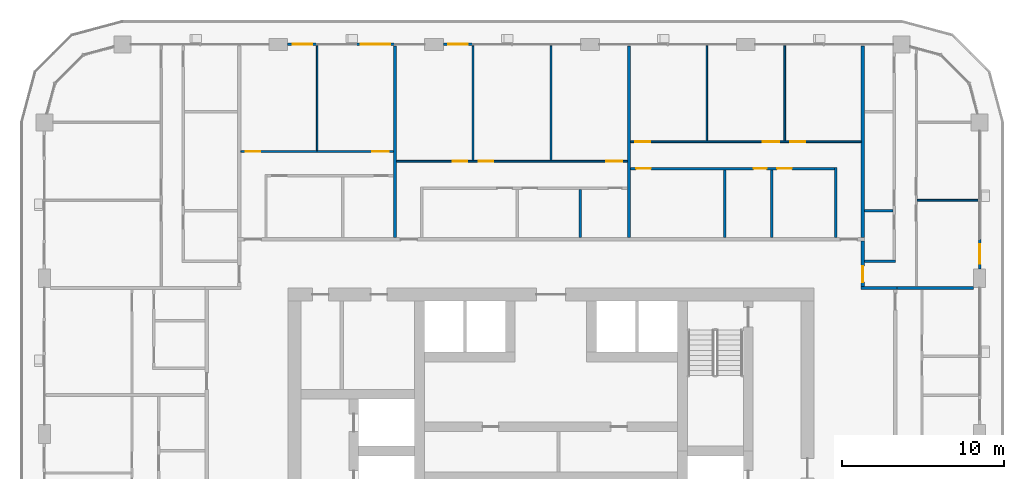
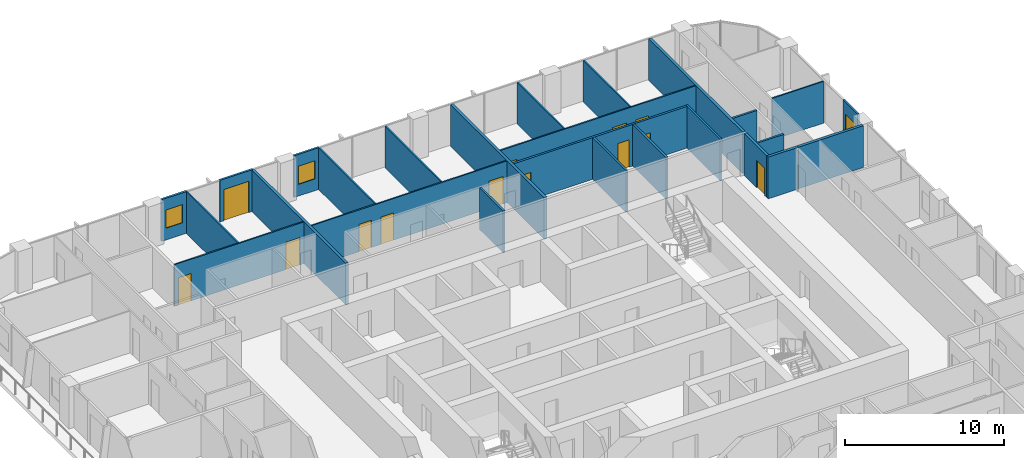
# One storey, part 14 of 22: 26 walls, 13 doors, 3 windows, 16 openings.
"""IFC4 building model written with IfcOpenShell, lengths in metres."""

from ifc_helpers import new_model, si_unit, direction, frame, frame_2d, origin, place, context, subcontext, project, spatial, rectangle, extrude, material, layer, layer_set, type_object, element, fill, save


model = new_model("IFC4")

# Units and contexts
model_context = context("Model", 3, precision=1e-05, world=origin(), true_north=direction((0.0, 1.0)))
body_context = subcontext(model_context, "Body", "Model", "MODEL_VIEW")
ifc_project = project(units=[si_unit("LENGTHUNIT", "METRE"), si_unit("AREAUNIT", "SQUARE_METRE"), si_unit("VOLUMEUNIT", "CUBIC_METRE"), si_unit("PLANEANGLEUNIT", "RADIAN"), si_unit("MASSUNIT", "GRAM", prefix="KILO")], contexts=[model_context])

# Site, building, storey
site_placement = place(None, origin())
site = spatial("IfcSite", under=ifc_project, at=site_placement, CompositionType="ELEMENT")
building_placement = place(site_placement, origin())
building = spatial("IfcBuilding", under=site, at=building_placement, Name="Madar Terraces", CompositionType="ELEMENT")
storey_placement = place(building_placement, frame((0.0, 0.0, 129.60009765625)))
storey = spatial("IfcBuildingStorey", under=building, at=storey_placement, Name="L33", CompositionType="ELEMENT", Elevation=129.60009765625)

# Wall, opening, window
ifc_material_1 = material(Name="Aluminium composite panel, black, over insulated backing", Category="aluminium")
ifc_layer_1 = layer(ifc_material_1, 0.14990234375)
ifc_layer_set_1 = layer_set([ifc_layer_1], Name="Facade bay panel 150")
wall_type_1 = type_object("IfcWallType", Name="Facade bay panel 150", PredefinedType="SOLIDWALL", material=ifc_layer_set_1)
wall_1_placement = place(storey_placement, frame((57.60009765625, 38.97509765625, 0.0), z_axis=(0.0, 0.0, 1.0), x_axis=(0.0, 1.0, 0.0)))
wall_1 = element("IfcWall", 1, at=wall_1_placement, inside=storey, type_object=wall_type_1, Name="Facade bay panel", PredefinedType="SOLIDWALL", context=body_context, shape_type="SweptSolid", body=[
    extrude(rectangle(XDim=1.824951171875, YDim=0.14990234375, at=frame_2d((0.91259765625, 0.0))), origin(), (0.0, 0.0, 1.0), 3.199951171875),
])
opening_1_placement = place(wall_1_placement, frame((0.3125, 0.0, 0.89990234375)))
opening_1 = element("IfcOpeningElement", 2, at=opening_1_placement, cuts=wall_1, Name="Opening W1", PredefinedType="OPENING", context=body_context, shape_type="SweptSolid", body=[
    extrude(rectangle(XDim=1.199951171875, YDim=1.39990234375, at=frame_2d((0.60009765625, 0.699951171875))), frame((0.0, 0.0849609375, 0.0), z_axis=(0.0, -1.0, 0.0), x_axis=(1.0, 0.0, 0.0)), (0.0, 0.0, 1.0), 0.169921875),
])
ifc_material_2 = material(Name="Glass, clear, with black aluminium frame", Category="aluminium")
window_type = type_object("IfcWindowType", Name="Vent window 1200 x 1400", PartitioningType="SINGLE_PANEL", PredefinedType="WINDOW", material=ifc_material_2)
window_1_placement = place(opening_1_placement, origin())
window_1 = element("IfcWindow", 3, at=window_1_placement, inside=storey, type_object=window_type, Name="Operable vent window", OverallHeight=1.39990234375, OverallWidth=1.199951171875, PartitioningType="SINGLE_PANEL", PredefinedType="WINDOW", context=body_context, shape_type="SweptSolid", body=[
    extrude(rectangle(XDim=1.199951171875, YDim=1.39990234375, at=frame_2d((0.60009765625, 0.699951171875))), frame((0.0, 0.030029296875, 0.0), z_axis=(0.0, -1.0, 0.0), x_axis=(1.0, 0.0, 0.0)), (0.0, 0.0, 1.0), 0.06005859375),
])
fill(opening_1, window_1)

wall_2_placement = place(storey_placement, frame((26.39990234375, 52.800048828125, 0.0), z_axis=(0.0, 0.0, 1.0), x_axis=(-1.0, 0.0, 0.0)))
wall_2 = element("IfcWall", 4, at=wall_2_placement, inside=storey, type_object=wall_type_1, Name="Facade bay panel", PredefinedType="SOLIDWALL", context=body_context, shape_type="SweptSolid", body=[
    extrude(rectangle(XDim=1.824951171875, YDim=0.14990234375, at=frame_2d((0.91259765625, 0.0))), origin(), (0.0, 0.0, 1.0), 3.199951171875),
])
opening_2_placement = place(wall_2_placement, frame((0.3125, 0.0, 0.89990234375)))
opening_2 = element("IfcOpeningElement", 5, at=opening_2_placement, cuts=wall_2, Name="Opening W1", PredefinedType="OPENING", context=body_context, shape_type="SweptSolid", body=[
    extrude(rectangle(XDim=1.199951171875, YDim=1.39990234375, at=frame_2d((0.60009765625, 0.699951171875))), frame((0.0, 0.0849609375, 0.0), z_axis=(0.0, -1.0, 0.0), x_axis=(1.0, 0.0, 0.0)), (0.0, 0.0, 1.0), 0.169921875),
])
window_2_placement = place(opening_2_placement, origin())
window_2 = element("IfcWindow", 6, at=window_2_placement, inside=storey, type_object=window_type, Name="Operable vent window", OverallHeight=1.39990234375, OverallWidth=1.199951171875, PartitioningType="SINGLE_PANEL", PredefinedType="WINDOW", context=body_context, shape_type="SweptSolid", body=[
    extrude(rectangle(XDim=1.199951171875, YDim=1.39990234375, at=frame_2d((0.60009765625, 0.699951171875))), frame((0.0, 0.030029296875, 0.0), z_axis=(0.0, -1.0, 0.0), x_axis=(1.0, 0.0, 0.0)), (0.0, 0.0, 1.0), 0.06005859375),
])
fill(opening_2, window_2)

# Wall, opening, door
wall_3_placement = place(storey_placement, frame((21.60009765625, 52.800048828125, 0.0), z_axis=(0.0, 0.0, 1.0), x_axis=(-1.0, 0.0, 0.0)))
wall_3 = element("IfcWall", 7, at=wall_3_placement, inside=storey, type_object=wall_type_1, Name="Facade bay panel", PredefinedType="SOLIDWALL", context=body_context, shape_type="SweptSolid", body=[
    extrude(rectangle(XDim=2.400146484375, YDim=0.14990234375, at=frame_2d((1.2001953125, 0.0))), origin(), (0.0, 0.0, 1.0), 3.199951171875),
])
opening_3_placement = place(wall_3_placement, frame((0.300048828125, 0.0, 0.0)))
opening_3 = element("IfcOpeningElement", 8, at=opening_3_placement, cuts=wall_3, Name="Opening ED1", PredefinedType="OPENING", context=body_context, shape_type="SweptSolid", body=[
    extrude(rectangle(XDim=1.800048828125, YDim=2.39990234375, at=frame_2d((0.89990234375, 1.199951171875))), frame((0.0, 0.0849609375, 0.0), z_axis=(0.0, -1.0, 0.0), x_axis=(1.0, 0.0, 0.0)), (0.0, 0.0, 1.0), 0.169921875),
])
ifc_material_3 = material(Name="Glass, clear, with black aluminium frame", Category="aluminium")
door_type_1 = type_object("IfcDoorType", Name="Balcony and terrace sliding door 1800 x 2400", OperationType="SLIDING_TO_LEFT", PredefinedType="DOOR", material=ifc_material_3)
door_1_placement = place(opening_3_placement, origin())
door_1 = element("IfcDoor", 9, at=door_1_placement, inside=storey, type_object=door_type_1, Name="Balcony door", OperationType="SLIDING_TO_RIGHT", OverallHeight=2.39990234375, OverallWidth=1.800048828125, PredefinedType="DOOR", context=body_context, shape_type="SweptSolid", body=[
    extrude(rectangle(XDim=1.800048828125, YDim=2.39990234375, at=frame_2d((0.89990234375, 1.199951171875))), frame((0.0, 0.02490234375, 0.0), z_axis=(0.0, -1.0, 0.0), x_axis=(1.0, 0.0, 0.0)), (0.0, 0.0, 1.0), 0.050048828125),
])
fill(opening_3, door_1)

# Wall, opening, window
wall_4_placement = place(storey_placement, frame((16.800048828125, 52.800048828125, 0.0), z_axis=(0.0, 0.0, 1.0), x_axis=(-1.0, 0.0, 0.0)))
wall_4 = element("IfcWall", 10, at=wall_4_placement, inside=storey, type_object=wall_type_1, Name="Facade bay panel", PredefinedType="SOLIDWALL", context=body_context, shape_type="SweptSolid", body=[
    extrude(rectangle(XDim=1.824951171875, YDim=0.14990234375, at=frame_2d((0.91259765625, 0.0))), origin(), (0.0, 0.0, 1.0), 3.199951171875),
])
opening_4_placement = place(wall_4_placement, frame((0.3125, 0.0, 0.89990234375)))
opening_4 = element("IfcOpeningElement", 11, at=opening_4_placement, cuts=wall_4, Name="Opening W1", PredefinedType="OPENING", context=body_context, shape_type="SweptSolid", body=[
    extrude(rectangle(XDim=1.199951171875, YDim=1.39990234375, at=frame_2d((0.60009765625, 0.699951171875))), frame((0.0, 0.0849609375, 0.0), z_axis=(0.0, -1.0, 0.0), x_axis=(1.0, 0.0, 0.0)), (0.0, 0.0, 1.0), 0.169921875),
])
window_3_placement = place(opening_4_placement, origin())
window_3 = element("IfcWindow", 12, at=window_3_placement, inside=storey, type_object=window_type, Name="Operable vent window", OverallHeight=1.39990234375, OverallWidth=1.199951171875, PartitioningType="SINGLE_PANEL", PredefinedType="WINDOW", context=body_context, shape_type="SweptSolid", body=[
    extrude(rectangle(XDim=1.199951171875, YDim=1.39990234375, at=frame_2d((0.60009765625, 0.699951171875))), frame((0.0, 0.030029296875, 0.0), z_axis=(0.0, -1.0, 0.0), x_axis=(1.0, 0.0, 0.0)), (0.0, 0.0, 1.0), 0.06005859375),
])
fill(opening_4, window_3)

# Walls
ifc_material_4 = material(Name="Gypsum board on steel studs", Category="steel")
ifc_layer_2 = layer(ifc_material_4, 0.10009765625)
ifc_layer_set_2 = layer_set([ifc_layer_2], Name="Flat partition 100")
wall_type_2 = type_object("IfcWallType", Name="Flat partition 100", PredefinedType="PARTITIONING", material=ifc_layer_set_2)
wall_5_placement = place(storey_placement, frame((53.75, 43.199951171875, 0.0), z_axis=(0.0, 0.0, 1.0), x_axis=(1.0, 0.0, 0.0)))
element("IfcWall", 13, at=wall_5_placement, inside=storey, type_object=wall_type_2, Name="Flat partition 100", PredefinedType="PARTITIONING", context=body_context, shape_type="SweptSolid", body=[
    extrude(rectangle(XDim=3.75, YDim=0.10009765625, at=frame_2d((1.875, 0.0))), origin(), (0.0, 0.0, 1.0), 3.199951171875),
])
for number, where, z_axis, x_axis, name in (
    (14, (45.60009765625, 46.85009765625, 0.0), (0.0, 0.0, 1.0), (0.0, 1.0, 0.0), "Flat partition 100"),
    (15, (40.800048828125, 46.85009765625, 0.0), (0.0, 0.0, 1.0), (0.0, 1.0, 0.0), "Flat partition 100"),
):
    element("IfcWall", number, at=place(storey_placement, frame(where, z_axis=z_axis, x_axis=x_axis)), inside=storey, type_object=wall_type_2, Name=name, PredefinedType="PARTITIONING", context=body_context, shape_type="SweptSolid", body=[
        extrude(rectangle(XDim=5.849853515625, YDim=0.10009765625, at=frame_2d((2.9248046875, 0.0))), origin(), (0.0, 0.0, 1.0), 3.199951171875),
    ])

# Wall, openings, doors
wall_6_placement = place(storey_placement, frame((36.10009765625, 46.800048828125, 0.0), z_axis=(0.0, 0.0, 1.0), x_axis=(1.0, 0.0, 0.0)))
wall_6 = element("IfcWall", 16, at=wall_6_placement, inside=storey, type_object=wall_type_2, Name="Flat partition 100", PredefinedType="PARTITIONING", context=body_context, shape_type="SweptSolid", body=[
    extrude(rectangle(XDim=14.199951171875, YDim=0.10009765625, at=frame_2d((7.10009765625, 0.0))), origin(), (0.0, 0.0, 1.0), 3.199951171875),
])
opening_5_placement = place(wall_6_placement, frame((9.85009765625, 0.0, 0.0)))
opening_5 = element("IfcOpeningElement", 17, at=opening_5_placement, cuts=wall_6, Name="Opening D2", PredefinedType="OPENING", context=body_context, shape_type="SweptSolid", body=[
    extrude(rectangle(XDim=0.89990234375, YDim=2.10009765625, at=frame_2d((0.449951171875, 1.050048828125))), frame((0.0, 0.06005859375, 0.0), z_axis=(0.0, -1.0, 0.0), x_axis=(1.0, 0.0, 0.0)), (0.0, 0.0, 1.0), 0.1201171875),
])
opening_6_placement = place(wall_6_placement, frame((8.14990234375, 0.0, 0.0)))
opening_6 = element("IfcOpeningElement", 18, at=opening_6_placement, cuts=wall_6, Name="Opening D3", PredefinedType="OPENING", context=body_context, shape_type="SweptSolid", body=[
    extrude(rectangle(XDim=1.0, YDim=2.10009765625, at=frame_2d((0.5, 1.050048828125))), frame((0.0, 0.06005859375, 0.0), z_axis=(0.0, -1.0, 0.0), x_axis=(1.0, 0.0, 0.0)), (0.0, 0.0, 1.0), 0.1201171875),
])
opening_7_placement = place(wall_6_placement, frame((0.300048828125, 0.0, 0.0)))
opening_7 = element("IfcOpeningElement", 19, at=opening_7_placement, cuts=wall_6, Name="Opening D2", PredefinedType="OPENING", context=body_context, shape_type="SweptSolid", body=[
    extrude(rectangle(XDim=0.89990234375, YDim=2.10009765625, at=frame_2d((0.449951171875, 1.050048828125))), frame((0.0, 0.06005859375, 0.0), z_axis=(0.0, -1.0, 0.0), x_axis=(1.0, 0.0, 0.0)), (0.0, 0.0, 1.0), 0.1201171875),
])
ifc_material_5 = material(Name="Timber door leaf", Category="wood")
door_type_2 = type_object("IfcDoorType", Name="Flat living room door 1000", OperationType="NOTDEFINED", PredefinedType="DOOR", material=ifc_material_5)
door_2_placement = place(opening_6_placement, origin())
door_2 = element("IfcDoor", 20, at=door_2_placement, inside=storey, type_object=door_type_2, Name="Flat living room door 1000", OperationType="SINGLE_SWING_RIGHT", OverallHeight=2.10009765625, OverallWidth=1.0, PredefinedType="DOOR", context=body_context, shape_type="SweptSolid", body=[
    extrude(rectangle(XDim=1.0, YDim=2.10009765625, at=frame_2d((0.5, 1.050048828125))), frame((0.0, 0.02490234375, 0.0), z_axis=(0.0, -1.0, 0.0), x_axis=(1.0, 0.0, 0.0)), (0.0, 0.0, 1.0), 0.050048828125),
])
fill(opening_6, door_2)
ifc_material_6 = material(Name="Timber door leaf", Category="wood")
door_type_3 = type_object("IfcDoorType", Name="Flat room door 900", OperationType="NOTDEFINED", PredefinedType="DOOR", material=ifc_material_6)
door_3_placement = place(opening_5_placement, origin())
door_3 = element("IfcDoor", 21, at=door_3_placement, inside=storey, type_object=door_type_3, Name="Flat room door 900", OperationType="SINGLE_SWING_LEFT", OverallHeight=2.10009765625, OverallWidth=0.89990234375, PredefinedType="DOOR", context=body_context, shape_type="SweptSolid", body=[
    extrude(rectangle(XDim=0.89990234375, YDim=2.10009765625, at=frame_2d((0.449951171875, 1.050048828125))), frame((0.0, 0.02490234375, 0.0), z_axis=(0.0, -1.0, 0.0), x_axis=(1.0, 0.0, 0.0)), (0.0, 0.0, 1.0), 0.050048828125),
])
fill(opening_5, door_3)
door_4_placement = place(opening_7_placement, origin())
door_4 = element("IfcDoor", 22, at=door_4_placement, inside=storey, type_object=door_type_3, Name="Flat room door 900", OperationType="SINGLE_SWING_LEFT", OverallHeight=2.10009765625, OverallWidth=0.89990234375, PredefinedType="DOOR", context=body_context, shape_type="SweptSolid", body=[
    extrude(rectangle(XDim=0.89990234375, YDim=2.10009765625, at=frame_2d((0.449951171875, 1.050048828125))), frame((0.0, 0.02490234375, 0.0), z_axis=(0.0, -1.0, 0.0), x_axis=(1.0, 0.0, 0.0)), (0.0, 0.0, 1.0), 0.050048828125),
])
fill(opening_7, door_4)

# Walls
for number, where, z_axis, x_axis, name in (
    (23, (26.39990234375, 45.64990234375, 0.0), (0.0, 0.0, 1.0), (0.0, 1.0, 0.0), "Flat partition 100"),
    (24, (31.199951171875, 45.64990234375, 0.0), (0.0, 0.0, 1.0), (0.0, 1.0, 0.0), "Flat partition 100"),
):
    element("IfcWall", number, at=place(storey_placement, frame(where, z_axis=z_axis, x_axis=x_axis)), inside=storey, type_object=wall_type_2, Name=name, PredefinedType="PARTITIONING", context=body_context, shape_type="SweptSolid", body=[
        extrude(rectangle(XDim=7.050048828125, YDim=0.10009765625, at=frame_2d((3.52490234375, 0.0))), origin(), (0.0, 0.0, 1.0), 3.199951171875),
    ])

# Wall, openings, doors
wall_7_placement = place(storey_placement, frame((21.699951171875, 45.60009765625, 0.0), z_axis=(0.0, 0.0, 1.0), x_axis=(1.0, 0.0, 0.0)))
wall_7 = element("IfcWall", 25, at=wall_7_placement, inside=storey, type_object=wall_type_2, Name="Flat partition 100", PredefinedType="PARTITIONING", context=body_context, shape_type="SweptSolid", body=[
    extrude(rectangle(XDim=14.199951171875, YDim=0.10009765625, at=frame_2d((7.10009765625, 0.0))), origin(), (0.0, 0.0, 1.0), 3.199951171875),
])
opening_8_placement = place(wall_7_placement, frame((3.449951171875, 0.0, 0.0)))
opening_8 = element("IfcOpeningElement", 26, at=opening_8_placement, cuts=wall_7, Name="Opening D2", PredefinedType="OPENING", context=body_context, shape_type="SweptSolid", body=[
    extrude(rectangle(XDim=0.89990234375, YDim=2.10009765625, at=frame_2d((0.449951171875, 1.050048828125))), frame((0.0, 0.06005859375, 0.0), z_axis=(0.0, -1.0, 0.0), x_axis=(1.0, 0.0, 0.0)), (0.0, 0.0, 1.0), 0.1201171875),
])
opening_9_placement = place(wall_7_placement, frame((5.050048828125, 0.0, 0.0)))
opening_9 = element("IfcOpeningElement", 27, at=opening_9_placement, cuts=wall_7, Name="Opening D2", PredefinedType="OPENING", context=body_context, shape_type="SweptSolid", body=[
    extrude(rectangle(XDim=0.89990234375, YDim=2.10009765625, at=frame_2d((0.449951171875, 1.050048828125))), frame((0.0, 0.06005859375, 0.0), z_axis=(0.0, -1.0, 0.0), x_axis=(1.0, 0.0, 0.0)), (0.0, 0.0, 1.0), 0.1201171875),
])
opening_10_placement = place(wall_7_placement, frame((12.89990234375, 0.0, 0.0)))
opening_10 = element("IfcOpeningElement", 28, at=opening_10_placement, cuts=wall_7, Name="Opening D3", PredefinedType="OPENING", context=body_context, shape_type="SweptSolid", body=[
    extrude(rectangle(XDim=1.0, YDim=2.10009765625, at=frame_2d((0.5, 1.050048828125))), frame((0.0, 0.06005859375, 0.0), z_axis=(0.0, -1.0, 0.0), x_axis=(1.0, 0.0, 0.0)), (0.0, 0.0, 1.0), 0.1201171875),
])
door_5_placement = place(opening_10_placement, origin())
door_5 = element("IfcDoor", 29, at=door_5_placement, inside=storey, type_object=door_type_2, Name="Flat living room door 1000", OperationType="SINGLE_SWING_RIGHT", OverallHeight=2.10009765625, OverallWidth=1.0, PredefinedType="DOOR", context=body_context, shape_type="SweptSolid", body=[
    extrude(rectangle(XDim=1.0, YDim=2.10009765625, at=frame_2d((0.5, 1.050048828125))), frame((0.0, 0.02490234375, 0.0), z_axis=(0.0, -1.0, 0.0), x_axis=(1.0, 0.0, 0.0)), (0.0, 0.0, 1.0), 0.050048828125),
])
fill(opening_10, door_5)
door_6_placement = place(opening_8_placement, origin())
door_6 = element("IfcDoor", 30, at=door_6_placement, inside=storey, type_object=door_type_3, Name="Flat room door 900", OperationType="SINGLE_SWING_RIGHT", OverallHeight=2.10009765625, OverallWidth=0.89990234375, PredefinedType="DOOR", context=body_context, shape_type="SweptSolid", body=[
    extrude(rectangle(XDim=0.89990234375, YDim=2.10009765625, at=frame_2d((0.449951171875, 1.050048828125))), frame((0.0, 0.02490234375, 0.0), z_axis=(0.0, -1.0, 0.0), x_axis=(1.0, 0.0, 0.0)), (0.0, 0.0, 1.0), 0.050048828125),
])
fill(opening_8, door_6)
door_7_placement = place(opening_9_placement, origin())
door_7 = element("IfcDoor", 31, at=door_7_placement, inside=storey, type_object=door_type_3, Name="Flat room door 900", OperationType="SINGLE_SWING_LEFT", OverallHeight=2.10009765625, OverallWidth=0.89990234375, PredefinedType="DOOR", context=body_context, shape_type="SweptSolid", body=[
    extrude(rectangle(XDim=0.89990234375, YDim=2.10009765625, at=frame_2d((0.449951171875, 1.050048828125))), frame((0.0, 0.02490234375, 0.0), z_axis=(0.0, -1.0, 0.0), x_axis=(1.0, 0.0, 0.0)), (0.0, 0.0, 1.0), 0.050048828125),
])
fill(opening_9, door_7)

# Wall
wall_8_placement = place(storey_placement, frame((16.800048828125, 46.25, 0.0), z_axis=(0.0, 0.0, 1.0), x_axis=(0.0, 1.0, 0.0)))
element("IfcWall", 32, at=wall_8_placement, inside=storey, type_object=wall_type_2, Name="Flat partition 100", PredefinedType="PARTITIONING", context=body_context, shape_type="SweptSolid", body=[
    extrude(rectangle(XDim=6.449951171875, YDim=0.10009765625, at=frame_2d((3.22509765625, 0.0))), origin(), (0.0, 0.0, 1.0), 3.199951171875),
])

# Wall, openings, doors
wall_9_placement = place(storey_placement, frame((12.10009765625, 46.199951171875, 0.0), z_axis=(0.0, 0.0, 1.0), x_axis=(1.0, 0.0, 0.0)))
wall_9 = element("IfcWall", 33, at=wall_9_placement, inside=storey, type_object=wall_type_2, Name="Flat partition 100", PredefinedType="PARTITIONING", context=body_context, shape_type="SweptSolid", body=[
    extrude(rectangle(XDim=9.39990234375, YDim=0.10009765625, at=frame_2d((4.699951171875, 0.0))), origin(), (0.0, 0.0, 1.0), 3.199951171875),
])
opening_11_placement = place(wall_9_placement, frame((0.300048828125, 0.0, 0.0)))
opening_11 = element("IfcOpeningElement", 34, at=opening_11_placement, cuts=wall_9, Name="Opening D2", PredefinedType="OPENING", context=body_context, shape_type="SweptSolid", body=[
    extrude(rectangle(XDim=0.89990234375, YDim=2.10009765625, at=frame_2d((0.449951171875, 1.050048828125))), frame((0.0, 0.06005859375, 0.0), z_axis=(0.0, -1.0, 0.0), x_axis=(1.0, 0.0, 0.0)), (0.0, 0.0, 1.0), 0.1201171875),
])
opening_12_placement = place(wall_9_placement, frame((8.10009765625, 0.0, 0.0)))
opening_12 = element("IfcOpeningElement", 35, at=opening_12_placement, cuts=wall_9, Name="Opening D3", PredefinedType="OPENING", context=body_context, shape_type="SweptSolid", body=[
    extrude(rectangle(XDim=1.0, YDim=2.10009765625, at=frame_2d((0.5, 1.050048828125))), frame((0.0, 0.06005859375, 0.0), z_axis=(0.0, -1.0, 0.0), x_axis=(1.0, 0.0, 0.0)), (0.0, 0.0, 1.0), 0.1201171875),
])
door_8_placement = place(opening_12_placement, origin())
door_8 = element("IfcDoor", 36, at=door_8_placement, inside=storey, type_object=door_type_2, Name="Flat living room door 1000", OperationType="SINGLE_SWING_RIGHT", OverallHeight=2.10009765625, OverallWidth=1.0, PredefinedType="DOOR", context=body_context, shape_type="SweptSolid", body=[
    extrude(rectangle(XDim=1.0, YDim=2.10009765625, at=frame_2d((0.5, 1.050048828125))), frame((0.0, 0.02490234375, 0.0), z_axis=(0.0, -1.0, 0.0), x_axis=(1.0, 0.0, 0.0)), (0.0, 0.0, 1.0), 0.050048828125),
])
fill(opening_12, door_8)
door_9_placement = place(opening_11_placement, origin())
door_9 = element("IfcDoor", 37, at=door_9_placement, inside=storey, type_object=door_type_3, Name="Flat room door 900", OperationType="SINGLE_SWING_LEFT", OverallHeight=2.10009765625, OverallWidth=0.89990234375, PredefinedType="DOOR", context=body_context, shape_type="SweptSolid", body=[
    extrude(rectangle(XDim=0.89990234375, YDim=2.10009765625, at=frame_2d((0.449951171875, 1.050048828125))), frame((0.0, 0.02490234375, 0.0), z_axis=(0.0, -1.0, 0.0), x_axis=(1.0, 0.0, 0.0)), (0.0, 0.0, 1.0), 0.050048828125),
])
fill(opening_11, door_9)

# Wall
ifc_material_7 = material(Name="Lightweight blockwork", Category="masonry")
ifc_layer_3 = layer(ifc_material_7, 0.199951171875)
ifc_layer_set_3 = layer_set([ifc_layer_3], Name="Flat party and entrance wall 200")
wall_type_3 = type_object("IfcWallType", Name="Flat party and entrance wall 200", PredefinedType="PARTITIONING", material=ifc_layer_set_3)
wall_10_placement = place(storey_placement, frame((52.5, 37.800048828125, 0.0), z_axis=(0.0, 0.0, 1.0), x_axis=(-1.0, 0.0, 0.0)))
element("IfcWall", 38, at=wall_10_placement, inside=storey, type_object=wall_type_3, Name="Flat party and entrance wall 200", PredefinedType="PARTITIONING", context=body_context, shape_type="SweptSolid", body=[
    extrude(rectangle(XDim=2.199951171875, YDim=0.199951171875, at=frame_2d((1.10009765625, 0.0))), origin(), (0.0, 0.0, 1.0), 3.199951171875),
])

# Wall, opening, door
wall_11_placement = place(storey_placement, frame((50.39990234375, 40.699951171875, 0.0), z_axis=(0.0, 0.0, 1.0), x_axis=(0.0, -1.0, 0.0)))
wall_11 = element("IfcWall", 39, at=wall_11_placement, inside=storey, type_object=wall_type_3, Name="Flat party and entrance wall 200", PredefinedType="PARTITIONING", context=body_context, shape_type="SweptSolid", body=[
    extrude(rectangle(XDim=2.800048828125, YDim=0.199951171875, at=frame_2d((1.39990234375, 0.0))), origin(), (0.0, 0.0, 1.0), 3.199951171875),
])
opening_13_placement = place(wall_11_placement, frame((1.550048828125, 0.0, 0.0)))
opening_13 = element("IfcOpeningElement", 40, at=opening_13_placement, cuts=wall_11, Name="Opening D1", PredefinedType="OPENING", context=body_context, shape_type="SweptSolid", body=[
    extrude(rectangle(XDim=1.0, YDim=2.10009765625, at=frame_2d((0.5, 1.050048828125))), frame((0.0, 0.10986328125, 0.0), z_axis=(0.0, -1.0, 0.0), x_axis=(1.0, 0.0, 0.0)), (0.0, 0.0, 1.0), 0.219970703125),
])
ifc_material_8 = material(Name="Timber fire door leaf", Category="wood")
door_type_4 = type_object("IfcDoorType", Name="Flat entrance door 1000 FD30S", OperationType="NOTDEFINED", PredefinedType="DOOR", material=ifc_material_8)
door_10_placement = place(opening_13_placement, origin())
door_10 = element("IfcDoor", 41, at=door_10_placement, inside=storey, type_object=door_type_4, Name="Flat entrance door 1000 FD30S", OperationType="SINGLE_SWING_RIGHT", OverallHeight=2.10009765625, OverallWidth=1.0, PredefinedType="DOOR", context=body_context, shape_type="SweptSolid", body=[
    extrude(rectangle(XDim=1.0, YDim=2.10009765625, at=frame_2d((0.5, 1.050048828125))), frame((0.0, 0.02490234375, 0.0), z_axis=(0.0, -1.0, 0.0), x_axis=(1.0, 0.0, 0.0)), (0.0, 0.0, 1.0), 0.050048828125),
])
fill(opening_13, door_10)

# Walls
wall_12_placement = place(storey_placement, frame((52.5, 37.800048828125, 0.0), z_axis=(0.0, 0.0, 1.0), x_axis=(1.0, 0.0, 0.0)))
element("IfcWall", 42, at=wall_12_placement, inside=storey, type_object=wall_type_3, Name="Flat party and entrance wall 200", PredefinedType="PARTITIONING", context=body_context, shape_type="SweptSolid", body=[
    extrude(rectangle(XDim=4.72509765625, YDim=0.199951171875, at=frame_2d((2.362548828125, 0.0))), origin(), (0.0, 0.0, 1.0), 3.199951171875),
])
for number, where, z_axis, x_axis, name in (
    (43, (50.39990234375, 40.89990234375, 0.0), (0.0, 0.0, 1.0), (0.0, 1.0, 0.0), "Flat party and entrance wall 200"),
    (44, (36.0, 52.699951171875, 0.0), (0.0, 0.0, 1.0), (0.0, -1.0, 0.0), "Flat party and entrance wall 200"),
    (45, (21.60009765625, 52.699951171875, 0.0), (0.0, 0.0, 1.0), (0.0, -1.0, 0.0), "Flat party and entrance wall 200"),
):
    element("IfcWall", number, at=place(storey_placement, frame(where, z_axis=z_axis, x_axis=x_axis)), inside=storey, type_object=wall_type_3, Name=name, PredefinedType="PARTITIONING", context=body_context, shape_type="SweptSolid", body=[
        extrude(rectangle(XDim=11.800048828125, YDim=0.199951171875, at=frame_2d((5.89990234375, 0.0))), origin(), (0.0, 0.0, 1.0), 3.199951171875),
    ])
ifc_material_9 = material(Name="Lightweight blockwork", Category="masonry")
ifc_layer_4 = layer(ifc_material_9, 0.14990234375)
ifc_layer_set_4 = layer_set([ifc_layer_4], Name="Flat wet-room partition 150")
wall_type_4 = type_object("IfcWallType", Name="Flat wet-room partition 150", PredefinedType="PARTITIONING", material=ifc_layer_set_4)
wall_13_placement = place(storey_placement, frame((50.5, 42.5654296875, 0.0), z_axis=(0.0, 0.0, 1.0), x_axis=(1.0, 0.0, 0.0)))
element("IfcWall", 46, at=wall_13_placement, inside=storey, type_object=wall_type_4, Name="Flat wet-room partition 150", PredefinedType="PARTITIONING", context=body_context, shape_type="SweptSolid", body=[
    extrude(rectangle(XDim=1.77490234375, YDim=0.14990234375, at=frame_2d((0.887451171875, 0.0))), origin(), (0.0, 0.0, 1.0), 3.199951171875),
])
wall_14_placement = place(storey_placement, frame((50.5, 39.449951171875, 0.0), z_axis=(0.0, 0.0, 1.0), x_axis=(1.0, 0.0, 0.0)))
element("IfcWall", 47, at=wall_14_placement, inside=storey, type_object=wall_type_4, Name="Flat wet-room partition 150", PredefinedType="PARTITIONING", context=body_context, shape_type="SweptSolid", body=[
    extrude(rectangle(XDim=1.925048828125, YDim=0.14990234375, at=frame_2d((0.96240234375, 0.0))), origin(), (0.0, 0.0, 1.0), 3.199951171875),
])
for number, where, z_axis, x_axis, name in (
    (48, (44.805908203125, 40.89990234375, 0.0), (0.0, 0.0, 1.0), (0.0, 1.0, 0.0), "Flat wet-room partition 150"),
    (49, (41.90380859375, 40.89990234375, 0.0), (0.0, 0.0, 1.0), (0.0, 1.0, 0.0), "Flat wet-room partition 150"),
):
    element("IfcWall", number, at=place(storey_placement, frame(where, z_axis=z_axis, x_axis=x_axis)), inside=storey, type_object=wall_type_4, Name=name, PredefinedType="PARTITIONING", context=body_context, shape_type="SweptSolid", body=[
        extrude(rectangle(XDim=4.175048828125, YDim=0.14990234375, at=frame_2d((2.08740234375, 0.0))), origin(), (0.0, 0.0, 1.0), 3.199951171875),
    ])
wall_15_placement = place(storey_placement, frame((48.75, 40.89990234375, 0.0), z_axis=(0.0, 0.0, 1.0), x_axis=(0.0, 1.0, 0.0)))
element("IfcWall", 50, at=wall_15_placement, inside=storey, type_object=wall_type_4, Name="Flat wet-room partition 150", PredefinedType="PARTITIONING", context=body_context, shape_type="SweptSolid", body=[
    extrude(rectangle(XDim=4.3251953125, YDim=0.14990234375, at=frame_2d((2.16259765625, 0.0))), origin(), (0.0, 0.0, 1.0), 3.199951171875),
])

# Wall, openings, doors
wall_16_placement = place(storey_placement, frame((48.675048828125, 45.14990234375, 0.0), z_axis=(0.0, 0.0, 1.0), x_axis=(-1.0, 0.0, 0.0)))
wall_16 = element("IfcWall", 51, at=wall_16_placement, inside=storey, type_object=wall_type_4, Name="Flat wet-room partition 150", PredefinedType="PARTITIONING", context=body_context, shape_type="SweptSolid", body=[
    extrude(rectangle(XDim=12.574951171875, YDim=0.14990234375, at=frame_2d((6.28759765625, 0.0))), origin(), (0.0, 0.0, 1.0), 3.199951171875),
])
opening_14_placement = place(wall_16_placement, frame((2.644287109375, 0.0, 0.0)))
opening_14 = element("IfcOpeningElement", 52, at=opening_14_placement, cuts=wall_16, Name="Opening D5", PredefinedType="OPENING", context=body_context, shape_type="SweptSolid", body=[
    extrude(rectangle(XDim=0.89990234375, YDim=2.10009765625, at=frame_2d((0.449951171875, 1.050048828125))), frame((0.0, 0.0849609375, 0.0), z_axis=(0.0, -1.0, 0.0), x_axis=(1.0, 0.0, 0.0)), (0.0, 0.0, 1.0), 0.169921875),
])
opening_15_placement = place(wall_16_placement, frame((4.194091796875, 0.0, 0.0)))
opening_15 = element("IfcOpeningElement", 53, at=opening_15_placement, cuts=wall_16, Name="Opening D4", PredefinedType="OPENING", context=body_context, shape_type="SweptSolid", body=[
    extrude(rectangle(XDim=0.800048828125, YDim=2.10009765625, at=frame_2d((0.39990234375, 1.050048828125))), frame((0.0, 0.0849609375, 0.0), z_axis=(0.0, -1.0, 0.0), x_axis=(1.0, 0.0, 0.0)), (0.0, 0.0, 1.0), 0.169921875),
])
opening_16_placement = place(wall_16_placement, frame((11.324951171875, 0.0, 0.0)))
opening_16 = element("IfcOpeningElement", 54, at=opening_16_placement, cuts=wall_16, Name="Opening D2", PredefinedType="OPENING", context=body_context, shape_type="SweptSolid", body=[
    extrude(rectangle(XDim=0.89990234375, YDim=2.10009765625, at=frame_2d((0.449951171875, 1.050048828125))), frame((0.0, 0.0849609375, 0.0), z_axis=(0.0, -1.0, 0.0), x_axis=(1.0, 0.0, 0.0)), (0.0, 0.0, 1.0), 0.169921875),
])
ifc_material_10 = material(Name="Timber door leaf", Category="wood")
door_type_5 = type_object("IfcDoorType", Name="Flat accessible bathroom door 900", OperationType="NOTDEFINED", PredefinedType="DOOR", material=ifc_material_10)
door_11_placement = place(opening_14_placement, origin())
door_11 = element("IfcDoor", 55, at=door_11_placement, inside=storey, type_object=door_type_5, Name="Flat accessible bathroom door 900", OperationType="SINGLE_SWING_RIGHT", OverallHeight=2.10009765625, OverallWidth=0.89990234375, PredefinedType="DOOR", context=body_context, shape_type="SweptSolid", body=[
    extrude(rectangle(XDim=0.89990234375, YDim=2.10009765625, at=frame_2d((0.449951171875, 1.050048828125))), frame((0.0, 0.02490234375, 0.0), z_axis=(0.0, -1.0, 0.0), x_axis=(1.0, 0.0, 0.0)), (0.0, 0.0, 1.0), 0.050048828125),
])
fill(opening_14, door_11)
ifc_material_11 = material(Name="Timber door leaf", Category="wood")
door_type_6 = type_object("IfcDoorType", Name="Flat bathroom door 800", OperationType="NOTDEFINED", PredefinedType="DOOR", material=ifc_material_11)
door_12_placement = place(opening_15_placement, origin())
door_12 = element("IfcDoor", 56, at=door_12_placement, inside=storey, type_object=door_type_6, Name="Flat bathroom door 800", OperationType="SINGLE_SWING_LEFT", OverallHeight=2.10009765625, OverallWidth=0.800048828125, PredefinedType="DOOR", context=body_context, shape_type="SweptSolid", body=[
    extrude(rectangle(XDim=0.800048828125, YDim=2.10009765625, at=frame_2d((0.39990234375, 1.050048828125))), frame((0.0, 0.02490234375, 0.0), z_axis=(0.0, -1.0, 0.0), x_axis=(1.0, 0.0, 0.0)), (0.0, 0.0, 1.0), 0.050048828125),
])
fill(opening_15, door_12)
door_13_placement = place(opening_16_placement, origin())
door_13 = element("IfcDoor", 57, at=door_13_placement, inside=storey, type_object=door_type_3, Name="Flat room door 900", OperationType="SINGLE_SWING_RIGHT", OverallHeight=2.10009765625, OverallWidth=0.89990234375, PredefinedType="DOOR", context=body_context, shape_type="SweptSolid", body=[
    extrude(rectangle(XDim=0.89990234375, YDim=2.10009765625, at=frame_2d((0.449951171875, 1.050048828125))), frame((0.0, 0.02490234375, 0.0), z_axis=(0.0, -1.0, 0.0), x_axis=(1.0, 0.0, 0.0)), (0.0, 0.0, 1.0), 0.050048828125),
])
fill(opening_16, door_13)

# Wall
wall_17_placement = place(storey_placement, frame((32.998046875, 40.89990234375, 0.0), z_axis=(0.0, 0.0, 1.0), x_axis=(0.0, 1.0, 0.0)))
element("IfcWall", 58, at=wall_17_placement, inside=storey, type_object=wall_type_4, Name="Flat wet-room partition 150", PredefinedType="PARTITIONING", context=body_context, shape_type="SweptSolid", body=[
    extrude(rectangle(XDim=2.97509765625, YDim=0.14990234375, at=frame_2d((1.487548828125, 0.0))), origin(), (0.0, 0.0, 1.0), 3.199951171875),
])

save(model, "model.ifc")
